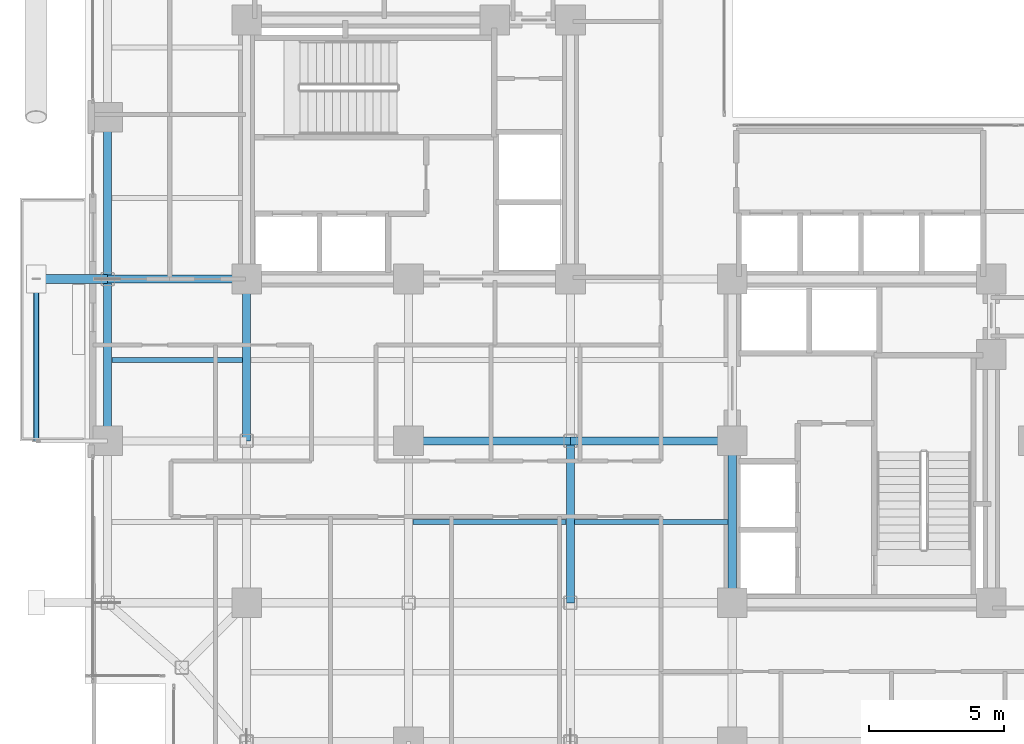
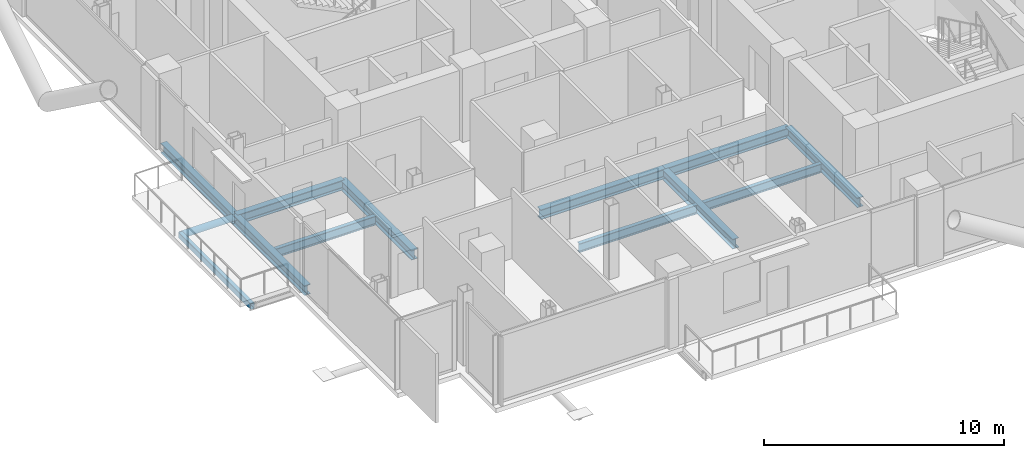
# One storey, part 5 of 24: 12 beams, 1 member.
"""IFC4 building model written with IfcOpenShell, lengths in metres."""

from ifc_helpers import new_model, si_unit, direction, frame, origin, origin_2d, place, context, subcontext, project, spatial, hollow_rectangle, hollow_circle, i_section, extrude, material, material_profile, profile_set, type_object, element, save


model = new_model("IFC4")

# Units and contexts
model_context = context("Model", 3, precision=1e-05, world=origin(), true_north=direction((0.0, 1.0)))
body_context = subcontext(model_context, "Body", "Model", "MODEL_VIEW")
ifc_project = project(units=[si_unit("LENGTHUNIT", "METRE"), si_unit("AREAUNIT", "SQUARE_METRE"), si_unit("VOLUMEUNIT", "CUBIC_METRE"), si_unit("PLANEANGLEUNIT", "RADIAN"), si_unit("MASSUNIT", "GRAM", prefix="KILO"), si_unit("THERMODYNAMICTEMPERATUREUNIT", "KELVIN"), si_unit("POWERUNIT", "WATT")], contexts=[model_context])

# Site, building, storey
site_placement = place(None, origin())
site = spatial("IfcSite", under=ifc_project, at=site_placement, CompositionType="ELEMENT")
building_placement = place(site_placement, origin())
building = spatial("IfcBuilding", under=site, at=building_placement, Name="Svarakhadi Broadcast Tower", CompositionType="ELEMENT")
storey_placement = place(building_placement, frame((0.0, 0.0, 156.89990234375)))
storey = spatial("IfcBuildingStorey", under=building, at=storey_placement, Name="L38", CompositionType="ELEMENT", Elevation=156.89990234375)

# Beams
ifc_material_1 = material(Name="Steel S355J2 (IS 2062 E350C)", Category="steel")
ifc_material_profile_1 = material_profile(ifc_material_1, i_section(OverallWidth=0.18994140625, OverallDepth=0.449951171875, WebThickness=0.009521484375, FlangeThickness=0.0146484375, FilletRadius=0.02099609375, at=origin_2d()), Name="NPB 450x190x78")
ifc_profile_set_1 = profile_set([ifc_material_profile_1], Name="Steel S355J2 (IS 2062 E350C)")
beam_type_1 = type_object("IfcBeamType", Name="Beam_NPB450", PredefinedType="BEAM", material=ifc_profile_set_1)
beam_1_placement = place(storey_placement, frame((1.010009765625, 15.0, -0.449951171875), z_axis=(1.0, 0.0, 0.0), x_axis=(0.0, 1.0, 0.0)))
element("IfcBeam", 1, at=beam_1_placement, inside=storey, type_object=beam_type_1, Name="L38 Secondary Composite Beam SB002", PredefinedType="BEAM", context=body_context, shape_type="SweptSolid", body=[
    extrude(i_section(OverallWidth=0.18994140625, OverallDepth=0.449951171875, WebThickness=0.009521484375, FlangeThickness=0.0146484375, FilletRadius=0.02099609375, at=origin_2d()), origin(), (0.0, 0.0, 1.0), 4.830078125),
])
for number, where, z_axis, x_axis, name in (
    (2, (12.159912109375, 9.0, -0.449951171875), (1.0, 0.0, 0.0), (0.0, 1.0, 0.0), "L38 Secondary Composite Beam SB012"),
    (3, (18.159912109375, 9.0, -0.449951171875), (1.0, 0.0, 0.0), (0.0, 1.0, 0.0), "L38 Secondary Composite Beam SB017"),
):
    element("IfcBeam", number, at=place(storey_placement, frame(where, z_axis=z_axis, x_axis=x_axis)), inside=storey, type_object=beam_type_1, Name=name, PredefinedType="BEAM", context=body_context, shape_type="SweptSolid", body=[
        extrude(i_section(OverallWidth=0.18994140625, OverallDepth=0.449951171875, WebThickness=0.009521484375, FlangeThickness=0.0146484375, FilletRadius=0.02099609375, at=origin_2d()), origin(), (0.0, 0.0, 1.0), 5.68017578125),
    ])

# Member
ifc_material_2 = material(Name="Steel S460ML (IS 2062 E450BR)", Category="steel")
ifc_material_profile_2 = material_profile(ifc_material_2, hollow_circle(Radius=0.161865234375, WallThickness=0.01611328125, at=origin_2d()), Name="CHS 323.9x16")
ifc_profile_set_2 = profile_set([ifc_material_profile_2], Name="Steel S460ML (IS 2062 E450BR)")
member_type = type_object("IfcMemberType", Name="Exo_Radial_Strut_Z2", PredefinedType="STRUT", material=ifc_profile_set_2)
member_placement = place(storey_placement, frame((-1.800048828125, 18.0, -0.386962890625), z_axis=(1.0, 0.0, 0.0), x_axis=(0.0, 1.0, 0.0)))
element("IfcMember", 4, at=member_placement, inside=storey, type_object=member_type, Name="L38 Exoskeleton Radial Tie Strut W06", PredefinedType="STRUT", context=body_context, shape_type="SweptSolid", body=[
    extrude(hollow_circle(Radius=0.161865234375, WallThickness=0.01611328125, at=origin_2d()), origin(), (0.0, 0.0, 1.0), 2.650146484375),
])

# Beams
ifc_material_profile_3 = material_profile(ifc_material_1, i_section(OverallWidth=0.300048828125, OverallDepth=0.5, WebThickness=0.014404296875, FlangeThickness=0.028076171875, FilletRadius=0.027099609375, at=origin_2d()), Name="WPB 500x300x187")
ifc_profile_set_3 = profile_set([ifc_material_profile_3], Name="Steel S355J2 (IS 2062 E350C)")
beam_type_2 = type_object("IfcBeamType", Name="Girder_WPB500", PredefinedType="USERDEFINED", material=ifc_profile_set_3)
for number, where, z_axis, x_axis, name in (
    (5, (12.0, 12.0, -0.474853515625), (1.0, 0.0, 0.0), (0.0, 1.0, 0.0), "L38 Primary E-W Girder G019"),
    (6, (18.0, 12.0, -0.474853515625), (1.0, 0.0, 0.0), (0.0, 1.0, 0.0), "L38 Primary E-W Girder G020"),
):
    element("IfcBeam", number, at=place(storey_placement, frame(where, z_axis=z_axis, x_axis=x_axis)), inside=storey, type_object=beam_type_2, Name=name, ObjectType="GIRDER", PredefinedType="USERDEFINED", context=body_context, shape_type="SweptSolid", body=[
        extrude(i_section(OverallWidth=0.300048828125, OverallDepth=0.5, WebThickness=0.014404296875, FlangeThickness=0.028076171875, FilletRadius=0.027099609375, at=origin_2d()), origin(), (0.0, 0.0, 1.0), 6.0),
    ])
beam_2_placement = place(storey_placement, frame((0.85009765625, 18.0, -0.474853515625), z_axis=(1.0, 0.0, 0.0), x_axis=(0.0, 1.0, 0.0)))
element("IfcBeam", 7, at=beam_2_placement, inside=storey, type_object=beam_type_2, Name="L38 Primary E-W Girder G023", ObjectType="GIRDER", PredefinedType="USERDEFINED", context=body_context, shape_type="SweptSolid", body=[
    extrude(i_section(OverallWidth=0.300048828125, OverallDepth=0.5, WebThickness=0.014404296875, FlangeThickness=0.028076171875, FilletRadius=0.027099609375, at=origin_2d()), origin(), (0.0, 0.0, 1.0), 5.14990234375),
])
for number, where, z_axis, x_axis, name in (
    (8, (0.85009765625, 12.0, -0.474853515625), (0.0, 1.0, 0.0), (-1.0, 0.0, 0.0), "L38 Primary N-S Girder G041"),
    (9, (0.85009765625, 18.0, -0.474853515625), (0.0, 1.0, 0.0), (-1.0, 0.0, 0.0), "L38 Primary N-S Girder G042"),
    (10, (6.0, 12.0, -0.474853515625), (0.0, 1.0, 0.0), (-1.0, 0.0, 0.0), "L38 Primary N-S Girder G047"),
    (11, (18.0, 6.0, -0.474853515625), (0.0, 1.0, 0.0), (-1.0, 0.0, 0.0), "L38 Primary N-S Girder G057"),
    (12, (24.0, 6.0, -0.474853515625), (0.0, 1.0, 0.0), (-1.0, 0.0, 0.0), "L38 Primary N-S Girder G063"),
):
    element("IfcBeam", number, at=place(storey_placement, frame(where, z_axis=z_axis, x_axis=x_axis)), inside=storey, type_object=beam_type_2, Name=name, ObjectType="GIRDER", PredefinedType="USERDEFINED", context=body_context, shape_type="SweptSolid", body=[
        extrude(i_section(OverallWidth=0.300048828125, OverallDepth=0.5, WebThickness=0.014404296875, FlangeThickness=0.028076171875, FilletRadius=0.027099609375, at=origin_2d()), origin(), (0.0, 0.0, 1.0), 6.0),
    ])
ifc_material_profile_4 = material_profile(ifc_material_2, hollow_rectangle(XDim=0.199951171875, YDim=0.300048828125, WallThickness=0.012451171875, InnerFilletRadius=0.012451171875, OuterFilletRadius=0.02490234375, at=origin_2d()), Name="RHS 300x200x12.5")
ifc_profile_set_4 = profile_set([ifc_material_profile_4], Name="Steel S460ML (IS 2062 E450BR)")
beam_type_3 = type_object("IfcBeamType", Name="Spandrel_RHS300", PredefinedType="SPANDREL", material=ifc_profile_set_4)
beam_3_placement = place(storey_placement, frame((-1.800048828125, 12.0, -0.375), z_axis=(0.0, 1.0, 0.0), x_axis=(-1.0, 0.0, 0.0)))
element("IfcBeam", 13, at=beam_3_placement, inside=storey, type_object=beam_type_3, Name="L38 Balcony Outer Spandrel 2F", PredefinedType="SPANDREL", context=body_context, shape_type="SweptSolid", body=[
    extrude(hollow_rectangle(XDim=0.199951171875, YDim=0.300048828125, WallThickness=0.012451171875, InnerFilletRadius=0.012451171875, OuterFilletRadius=0.02490234375, at=origin_2d()), origin(), (0.0, 0.0, 1.0), 6.0),
])

save(model, "model.ifc")
